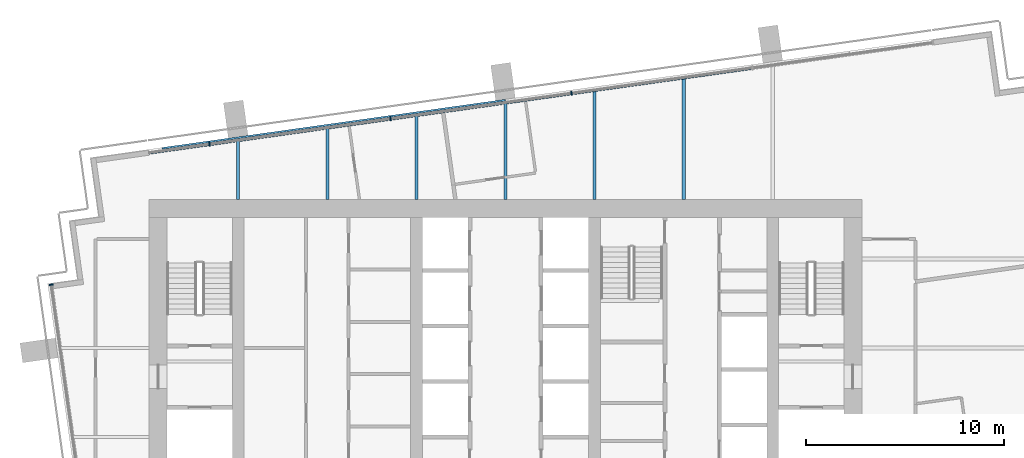
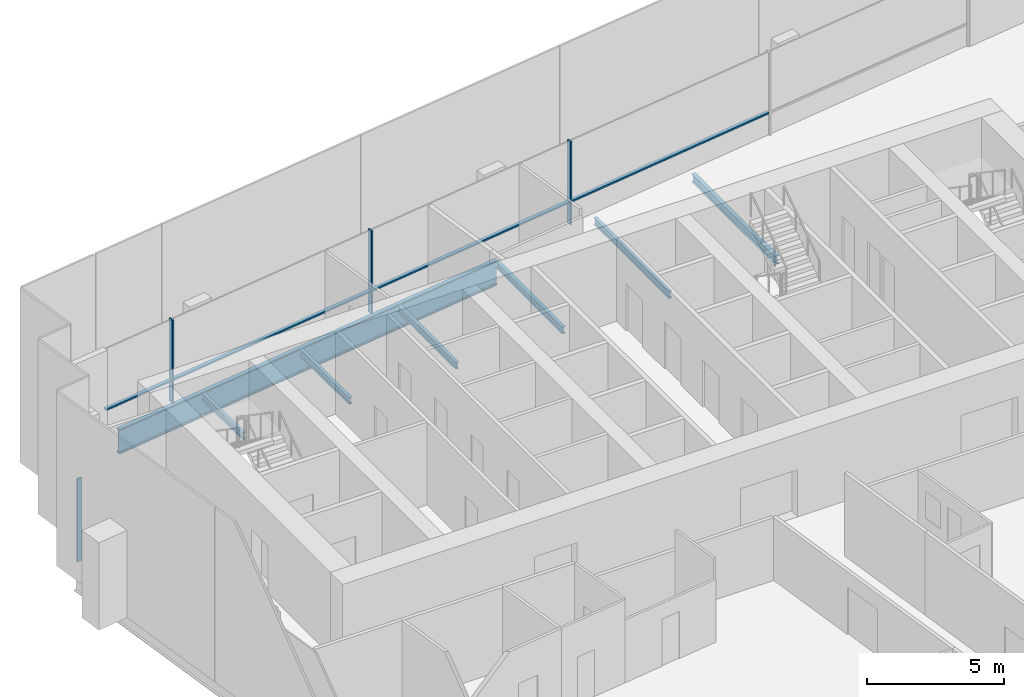
# One storey, part 6 of 17: 8 members, 7 beams, 2 elements without a shape of their own.
"""IFC4 building model written with IfcOpenShell, lengths in metres."""

from ifc_helpers import new_model, si_unit, direction, frame, origin, origin_2d, place, context, subcontext, project, spatial, rectangle, i_section, extrude, material, layer, layer_set, material_profile, profile_set, type_object, element, aggregate, save


model = new_model("IFC4")

# Units and contexts
model_context = context("Model", 3, precision=1e-05, world=origin(), true_north=direction((0.0, 1.0)))
body_context = subcontext(model_context, "Body", "Model", "MODEL_VIEW")
ifc_project = project(units=[si_unit("LENGTHUNIT", "METRE"), si_unit("AREAUNIT", "SQUARE_METRE"), si_unit("VOLUMEUNIT", "CUBIC_METRE"), si_unit("PLANEANGLEUNIT", "RADIAN"), si_unit("MASSUNIT", "GRAM", prefix="KILO")], contexts=[model_context])

# Site, building, storey
site_placement = place(None, origin())
site = spatial("IfcSite", under=ifc_project, at=site_placement, CompositionType="ELEMENT")
building_placement = place(site_placement, origin())
building = spatial("IfcBuilding", under=site, at=building_placement, Name="Rattan Terrace Tower", CompositionType="ELEMENT")
storey_placement = place(building_placement, frame((0.0, 0.0, 225.199951171875)))
storey = spatial("IfcBuildingStorey", under=building, at=storey_placement, Name="L51", CompositionType="ELEMENT", Elevation=225.199951171875)

# Beams
ifc_material_1 = material(Name="Steel S460", Category="steel")
ifc_material_profile_1 = material_profile(ifc_material_1, i_section(OverallWidth=0.179931640625, OverallDepth=1.10009765625, WebThickness=0.01611328125, FlangeThickness=0.050048828125, at=origin_2d()), Name="PG 1100x180-16-50")
ifc_profile_set_1 = profile_set([ifc_material_profile_1], Name="Steel S460")
beam_type_1 = type_object("IfcBeamType", Name="Frame edge girder PG 1100x180-16-50", PredefinedType="SPANDREL", material=ifc_profile_set_1)
beam_1_placement = place(storey_placement, frame((-17.347900390625, 10.031005859375, -0.75), z_axis=(0.990267797657, 0.13917502981, 0.0), x_axis=(-0.13917502981, 0.990267797657, 0.0)))
element("IfcBeam", 1, at=beam_1_placement, inside=storey, type_object=beam_type_1, Name="gdr-L51-005", PredefinedType="SPANDREL", context=body_context, shape_type="SweptSolid", body=[
    extrude(i_section(OverallWidth=0.179931640625, OverallDepth=1.10009765625, WebThickness=0.01611328125, FlangeThickness=0.050048828125, at=origin_2d()), origin(), (0.0, 0.0, 1.0), 17.531494140625),
])
ifc_material_2 = material(Name="Steel S355", Category="steel")
ifc_material_profile_2 = material_profile(ifc_material_2, i_section(OverallWidth=0.14990234375, OverallDepth=0.300048828125, WebThickness=0.007080078125, FlangeThickness=0.0107421875, FilletRadius=0.014892578125, at=origin_2d()), Name="IPE 300")
ifc_profile_set_2 = profile_set([ifc_material_profile_2], Name="Steel S355")
beam_type_2 = type_object("IfcBeamType", Name="Frame floor beam IPE 300", PredefinedType="JOIST", material=ifc_profile_set_2)
beam_2_placement = place(storey_placement, frame((-13.5, 7.5, -0.349853515625), z_axis=(0.0, 1.0, 0.0), x_axis=(-1.0, 0.0, 0.0)))
element("IfcBeam", 2, at=beam_2_placement, inside=storey, type_object=beam_type_2, Name="bm-L51-014", PredefinedType="JOIST", context=body_context, shape_type="SweptSolid", body=[
    extrude(i_section(OverallWidth=0.14990234375, OverallDepth=0.300048828125, WebThickness=0.007080078125, FlangeThickness=0.0107421875, FilletRadius=0.014892578125, at=origin_2d()), origin(), (0.0, 0.0, 1.0), 2.969970703125),
])
beam_3_placement = place(storey_placement, frame((-9.0, 7.5, -0.349853515625), z_axis=(0.0, 1.0, 0.0), x_axis=(-1.0, 0.0, 0.0)))
element("IfcBeam", 3, at=beam_3_placement, inside=storey, type_object=beam_type_2, Name="bm-L51-015", PredefinedType="JOIST", context=body_context, shape_type="SweptSolid", body=[
    extrude(i_section(OverallWidth=0.14990234375, OverallDepth=0.300048828125, WebThickness=0.007080078125, FlangeThickness=0.0107421875, FilletRadius=0.014892578125, at=origin_2d()), origin(), (0.0, 0.0, 1.0), 3.60302734375),
])
beam_4_placement = place(storey_placement, frame((-4.5, 7.5, -0.349853515625), z_axis=(0.0, 1.0, 0.0), x_axis=(-1.0, 0.0, 0.0)))
element("IfcBeam", 4, at=beam_4_placement, inside=storey, type_object=beam_type_2, Name="bm-L51-016", PredefinedType="JOIST", context=body_context, shape_type="SweptSolid", body=[
    extrude(i_section(OverallWidth=0.14990234375, OverallDepth=0.300048828125, WebThickness=0.007080078125, FlangeThickness=0.0107421875, FilletRadius=0.014892578125, at=origin_2d()), origin(), (0.0, 0.0, 1.0), 4.235107421875),
])
beam_5_placement = place(storey_placement, frame((0.0, 7.5, -0.349853515625), z_axis=(0.0, 1.0, 0.0), x_axis=(-1.0, 0.0, 0.0)))
element("IfcBeam", 5, at=beam_5_placement, inside=storey, type_object=beam_type_2, Name="bm-L51-017", PredefinedType="JOIST", context=body_context, shape_type="SweptSolid", body=[
    extrude(i_section(OverallWidth=0.14990234375, OverallDepth=0.300048828125, WebThickness=0.007080078125, FlangeThickness=0.0107421875, FilletRadius=0.014892578125, at=origin_2d()), origin(), (0.0, 0.0, 1.0), 4.867919921875),
])
beam_6_placement = place(storey_placement, frame((4.5, 7.5, -0.349853515625), z_axis=(0.0, 1.0, 0.0), x_axis=(-1.0, 0.0, 0.0)))
element("IfcBeam", 6, at=beam_6_placement, inside=storey, type_object=beam_type_2, Name="bm-L51-018", PredefinedType="JOIST", context=body_context, shape_type="SweptSolid", body=[
    extrude(i_section(OverallWidth=0.14990234375, OverallDepth=0.300048828125, WebThickness=0.007080078125, FlangeThickness=0.0107421875, FilletRadius=0.014892578125, at=origin_2d()), origin(), (0.0, 0.0, 1.0), 5.5),
])
ifc_material_3 = material(Name="Steel S355", Category="steel")
ifc_material_profile_3 = material_profile(ifc_material_3, i_section(OverallWidth=0.169921875, OverallDepth=0.360107421875, WebThickness=0.008056640625, FlangeThickness=0.0126953125, FilletRadius=0.01806640625, at=origin_2d()), Name="IPE 360")
ifc_profile_set_3 = profile_set([ifc_material_profile_3], Name="Steel S355")
beam_type_3 = type_object("IfcBeamType", Name="Frame floor beam IPE 360", PredefinedType="JOIST", material=ifc_profile_set_3)
beam_7_placement = place(storey_placement, frame((9.0, 7.5, -0.3798828125), z_axis=(0.0, 1.0, 0.0), x_axis=(-1.0, 0.0, 0.0)))
element("IfcBeam", 7, at=beam_7_placement, inside=storey, type_object=beam_type_3, Name="bm-L51-019", PredefinedType="JOIST", context=body_context, shape_type="SweptSolid", body=[
    extrude(i_section(OverallWidth=0.169921875, OverallDepth=0.360107421875, WebThickness=0.008056640625, FlangeThickness=0.0126953125, FilletRadius=0.01806640625, at=origin_2d()), origin(), (0.0, 0.0, 1.0), 6.131103515625),
])

# Curtain wall, members
ifc_material_4 = material(Name="Aluminium and laminated glass", Category="aluminium")
ifc_layer = layer(ifc_material_4, 0.199951171875)
ifc_layer_set = layer_set([ifc_layer], Name="High-Zone Unitised Curtain Wall")
curtain_wall_type = type_object("IfcCurtainWallType", Name="High-Zone Unitised Curtain Wall", PredefinedType="NOTDEFINED", material=ifc_layer_set)
curtain_wall_1_placement = place(storey_placement, origin())
curtain_wall_1 = element("IfcCurtainWall", 8, at=curtain_wall_1_placement, inside=storey, type_object=curtain_wall_type, Name="High-zone curtain wall L51-2", PredefinedType="NOTDEFINED")
ifc_material_5 = material(Name="Aluminium", Category="aluminium")
ifc_material_profile_4 = material_profile(ifc_material_5, rectangle(XDim=0.070068359375, YDim=0.199951171875, at=origin_2d()), Name="Aluminium 70x200")
ifc_profile_set_4 = profile_set([ifc_material_profile_4], Name="Aluminium")
member_type_1 = type_object("IfcMemberType", Name="High-Zone CW Mullion 70x200", PredefinedType="MULLION", material=ifc_profile_set_4)
member_1_placement = place(storey_placement, frame((3.332275390625, 12.856201171875, 0.0), z_axis=(0.0, 0.0, 1.0), x_axis=(-0.990267457022, -0.139177453499, 0.0)))
member_1 = element("IfcMember", 9, at=member_1_placement, type_object=member_type_1, Name="Mullion cwl-L51-002.3", PredefinedType="MULLION", context=body_context, shape_type="SweptSolid", body=[
    extrude(rectangle(XDim=0.070068359375, YDim=0.199951171875, at=origin_2d()), origin(), (0.0, 0.0, 1.0), 3.699951171875),
])
member_2_placement = place(storey_placement, frame((-5.808837890625, 11.571533203125, 0.0), z_axis=(0.0, 0.0, 1.0), x_axis=(-0.990267457022, -0.139177453499, 0.0)))
member_2 = element("IfcMember", 10, at=member_2_placement, type_object=member_type_1, Name="Mullion cwl-L51-002.4", PredefinedType="MULLION", context=body_context, shape_type="SweptSolid", body=[
    extrude(rectangle(XDim=0.070068359375, YDim=0.199951171875, at=origin_2d()), origin(), (0.0, 0.0, 1.0), 3.699951171875),
])
member_3_placement = place(storey_placement, frame((-14.949951171875, 10.28662109375, 0.0), z_axis=(0.0, 0.0, 1.0), x_axis=(-0.990267457022, -0.139177453499, 0.0)))
member_3 = element("IfcMember", 11, at=member_3_placement, type_object=member_type_1, Name="Mullion cwl-L51-002.5", PredefinedType="MULLION", context=body_context, shape_type="SweptSolid", body=[
    extrude(rectangle(XDim=0.070068359375, YDim=0.199951171875, at=origin_2d()), origin(), (0.0, 0.0, 1.0), 3.699951171875),
])

# Curtain wall, member
curtain_wall_2_placement = place(storey_placement, origin())
curtain_wall_2 = element("IfcCurtainWall", 12, at=curtain_wall_2_placement, inside=storey, type_object=curtain_wall_type, Name="High-zone curtain wall L51-3", PredefinedType="NOTDEFINED")
member_4_placement = place(storey_placement, frame((-22.946533203125, 3.1943359375, 0.0), z_axis=(0.0, 0.0, 1.0), x_axis=(0.139186165309, -0.990266232579, 0.0)))
member_4 = element("IfcMember", 13, at=member_4_placement, type_object=member_type_1, Name="Mullion cwl-L51-003.1", PredefinedType="MULLION", context=body_context, shape_type="SweptSolid", body=[
    extrude(rectangle(XDim=0.070068359375, YDim=0.199951171875, at=origin_2d()), origin(), (0.0, 0.0, 1.0), 3.699951171875),
])
aggregate(curtain_wall_2, [member_4])

# Member
ifc_material_6 = material(Name="Aluminium", Category="aluminium")
ifc_material_profile_5 = material_profile(ifc_material_6, rectangle(XDim=0.159912109375, YDim=0.070068359375, at=origin_2d()), Name="Aluminium 160x70")
ifc_profile_set_5 = profile_set([ifc_material_profile_5], Name="Aluminium")
member_type_2 = type_object("IfcMemberType", Name="High-Zone CW Transom 160x70", PredefinedType="USERDEFINED", material=ifc_profile_set_5)
member_5_placement = place(storey_placement, frame((12.438720703125, 14.135986328125, 1.0), z_axis=(-0.990268863305, -0.13916744723, 0.0), x_axis=(0.13916744723, -0.990268863305, 0.0)))
member_5 = element("IfcMember", 14, at=member_5_placement, type_object=member_type_2, Name="Transom cwl-L51-002.2", ObjectType="TRANSOM", PredefinedType="USERDEFINED", context=body_context, shape_type="SweptSolid", body=[
    extrude(rectangle(XDim=0.159912109375, YDim=0.070068359375, at=origin_2d()), origin(), (0.0, 0.0, 1.0), 9.160888671875),
])

member_6_placement = place(storey_placement, frame((3.297607421875, 12.851318359375, 1.0), z_axis=(-0.990265190222, -0.139193581154, 0.0), x_axis=(0.139193581154, -0.990265190222, 0.0)))
member_6 = element("IfcMember", 15, at=member_6_placement, type_object=member_type_2, Name="Transom cwl-L51-002.3", ObjectType="TRANSOM", PredefinedType="USERDEFINED", context=body_context, shape_type="SweptSolid", body=[
    extrude(rectangle(XDim=0.159912109375, YDim=0.070068359375, at=origin_2d()), origin(), (0.0, 0.0, 1.0), 9.160888671875),
])

member_7_placement = place(storey_placement, frame((-5.843505859375, 11.566650390625, 1.0), z_axis=(-0.990265190222, -0.139193581154, 0.0), x_axis=(0.139193581154, -0.990265190222, 0.0)))
member_7 = element("IfcMember", 16, at=member_7_placement, type_object=member_type_2, Name="Transom cwl-L51-002.4", ObjectType="TRANSOM", PredefinedType="USERDEFINED", context=body_context, shape_type="SweptSolid", body=[
    extrude(rectangle(XDim=0.159912109375, YDim=0.070068359375, at=origin_2d()), origin(), (0.0, 0.0, 1.0), 9.160888671875),
])

member_8_placement = place(storey_placement, frame((-14.984619140625, 10.28173828125, 1.0), z_axis=(-0.990269723995, -0.139161322712, 0.0), x_axis=(0.139161322712, -0.990269723995, 0.0)))
member_8 = element("IfcMember", 17, at=member_8_placement, type_object=member_type_2, Name="Transom cwl-L51-002.5", ObjectType="TRANSOM", PredefinedType="USERDEFINED", context=body_context, shape_type="SweptSolid", body=[
    extrude(rectangle(XDim=0.159912109375, YDim=0.070068359375, at=origin_2d()), origin(), (0.0, 0.0, 1.0), 3.040283203125),
])

aggregate(curtain_wall_1, [member_1, member_2, member_3, member_5, member_6, member_7, member_8])

save(model, "model.ifc")
